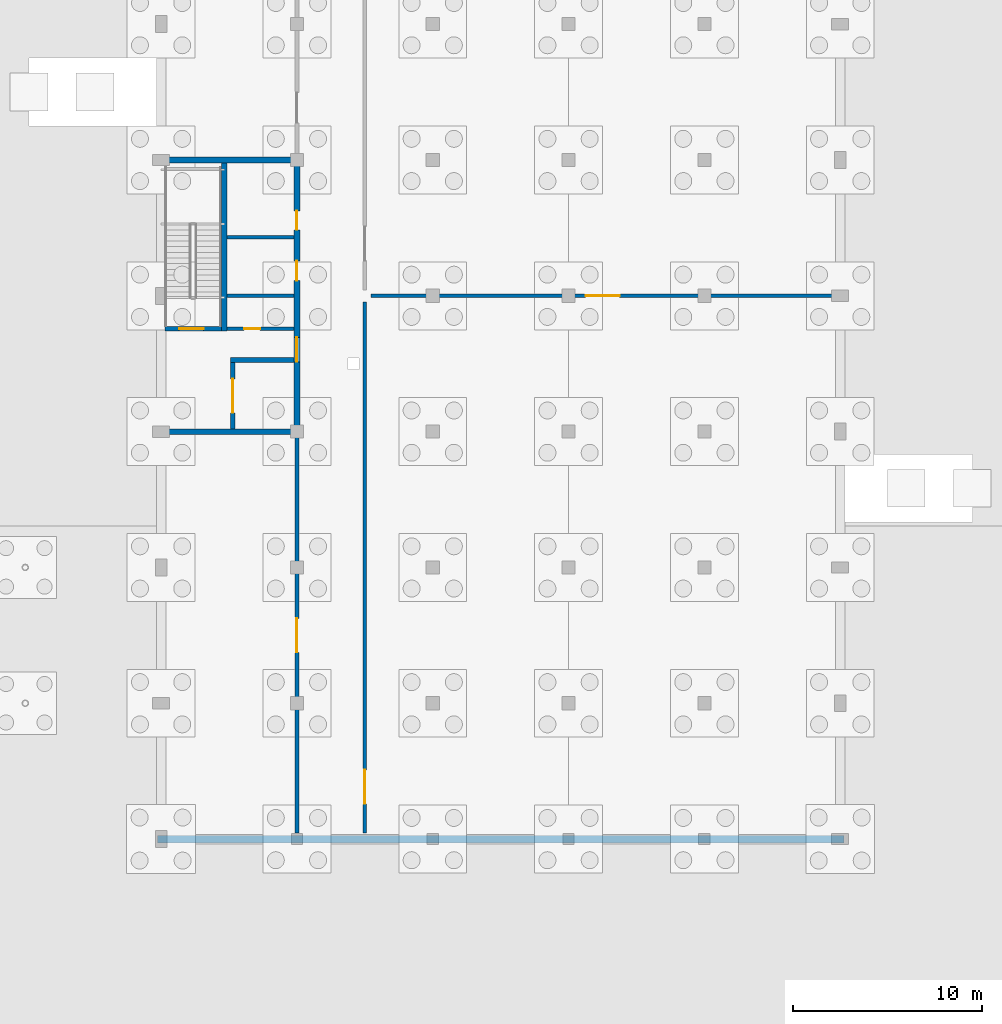
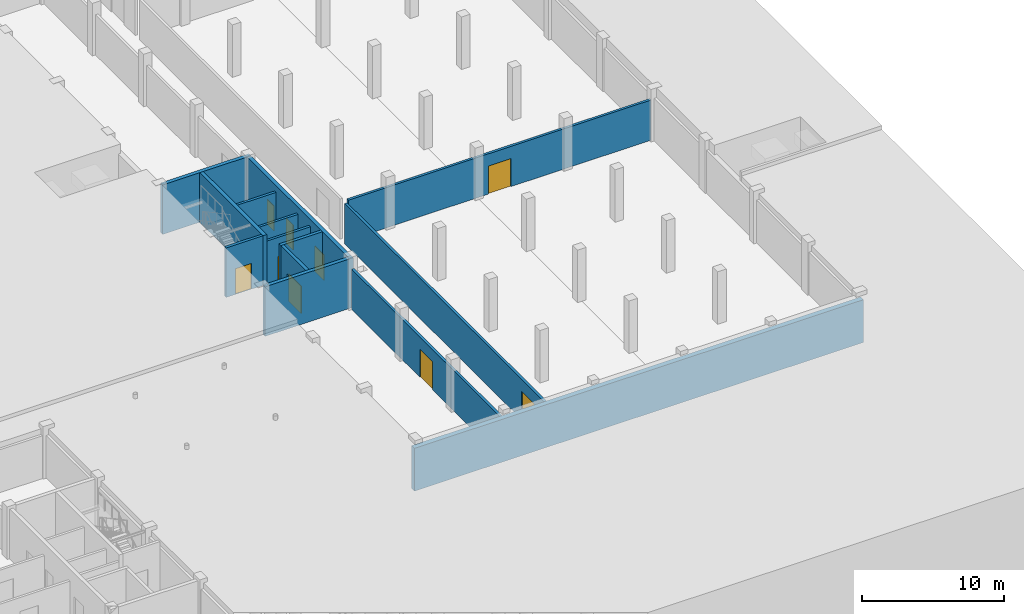
# One storey, part 32 of 51: 14 walls, 9 doors, 9 openings.
"""IFC4 building model written with IfcOpenShell, lengths in metres."""

from ifc_helpers import new_model, si_unit, direction, frame, frame_2d, origin, place, context, subcontext, project, spatial, rectangle, extrude, material, layer, layer_set, type_object, element, fill, save


model = new_model("IFC4")

# Units and contexts
model_context = context("Model", 3, precision=1e-05, world=origin(), true_north=direction((0.0, 1.0)))
body_context = subcontext(model_context, "Body", "Model", "MODEL_VIEW")
ifc_project = project(units=[si_unit("LENGTHUNIT", "METRE"), si_unit("AREAUNIT", "SQUARE_METRE"), si_unit("VOLUMEUNIT", "CUBIC_METRE"), si_unit("PLANEANGLEUNIT", "RADIAN"), si_unit("MASSUNIT", "GRAM", prefix="KILO")], contexts=[model_context])

# Site, building, storey
site_placement = place(None, origin())
site = spatial("IfcSite", under=ifc_project, at=site_placement, CompositionType="ELEMENT")
building_placement = place(site_placement, origin())
building = spatial("IfcBuilding", under=site, at=building_placement, Name="Zlatovets Crest Museum", CompositionType="ELEMENT")
storey_placement = place(building_placement, frame((0.0, 0.0, -4.5)))
storey = spatial("IfcBuildingStorey", under=building, at=storey_placement, Name="B1", CompositionType="ELEMENT", Elevation=-4.5)

# Walls
ifc_material_1 = material(Name="Concrete C35/45", Category="concrete")
ifc_layer_1 = layer(ifc_material_1, 0.300048828125)
ifc_layer_set_1 = layer_set([ifc_layer_1], Name="Concrete C35/45")
wall_type_1 = type_object("IfcWallType", Name="CoreWall_SW01", PredefinedType="SHEAR", material=ifc_layer_set_1)
for number, where, z_axis, x_axis, name in (
    (1, (129.800048828125, 36.0, 0.0), (0.0, 0.0, 1.0), (1.0, 0.0, 0.0), "Core C5 B1 South Shear Wall"),
    (2, (129.800048828125, 50.39990234375, 0.0), (0.0, 0.0, 1.0), (1.0, 0.0, 0.0), "Core C5 B1 North Shear Wall"),
):
    element("IfcWall", number, at=place(storey_placement, frame(where, z_axis=z_axis, x_axis=x_axis)), inside=storey, type_object=wall_type_1, Name=name, PredefinedType="SHEAR", context=body_context, shape_type="SweptSolid", body=[
        extrude(rectangle(XDim=7.14990234375, YDim=0.300048828125, at=frame_2d((3.574951171875, 0.0))), origin(), (0.0, 0.0, 1.0), 4.25),
    ])

# Wall, openings, doors
wall_1_placement = place(storey_placement, frame((136.800048828125, 36.14990234375, 0.0), z_axis=(0.0, 0.0, 1.0), x_axis=(0.0, 1.0, 0.0)))
wall_1 = element("IfcWall", 3, at=wall_1_placement, inside=storey, type_object=wall_type_1, Name="Core C5 B1 Spine Shear Wall", PredefinedType="SHEAR", context=body_context, shape_type="SweptSolid", body=[
    extrude(rectangle(XDim=14.10009765625, YDim=0.300048828125, at=frame_2d((7.050048828125, 0.0))), origin(), (0.0, 0.0, 1.0), 4.25),
])
opening_1_placement = place(wall_1_placement, frame((3.550048828125, 0.0, 0.0)))
opening_1 = element("IfcOpeningElement", 4, at=opening_1_placement, cuts=wall_1, Name="Opening FD-01", PredefinedType="OPENING", context=body_context, shape_type="SweptSolid", body=[
    extrude(rectangle(XDim=1.300048828125, YDim=2.199951171875, at=frame_2d((0.64990234375, 1.10009765625))), frame((0.0, 0.16015625, 0.0), z_axis=(0.0, -1.0, 0.0), x_axis=(1.0, 0.0, 0.0)), (0.0, 0.0, 1.0), 0.320068359375),
])
opening_2_placement = place(wall_1_placement, frame((7.85009765625, 0.0, 0.0)))
opening_2 = element("IfcOpeningElement", 5, at=opening_2_placement, cuts=wall_1, Name="Opening ID-02", PredefinedType="OPENING", context=body_context, shape_type="SweptSolid", body=[
    extrude(rectangle(XDim=1.050048828125, YDim=2.14990234375, at=frame_2d((0.52490234375, 1.074951171875))), frame((0.0, 0.16015625, 0.0), z_axis=(0.0, -1.0, 0.0), x_axis=(1.0, 0.0, 0.0)), (0.0, 0.0, 1.0), 0.320068359375),
])
opening_3_placement = place(wall_1_placement, frame((10.550048828125, 0.0, 0.0)))
opening_3 = element("IfcOpeningElement", 6, at=opening_3_placement, cuts=wall_1, Name="Opening ID-01", PredefinedType="OPENING", context=body_context, shape_type="SweptSolid", body=[
    extrude(rectangle(XDim=1.0, YDim=2.14990234375, at=frame_2d((0.5, 1.074951171875))), frame((0.0, 0.16015625, 0.0), z_axis=(0.0, -1.0, 0.0), x_axis=(1.0, 0.0, 0.0)), (0.0, 0.0, 1.0), 0.320068359375),
])
ifc_material_2 = material(Name="Smoke-sealed steel fire door", Category="steel")
door_type_1 = type_object("IfcDoorType", Name="IntDoor_FD-01", OperationType="NOTDEFINED", PredefinedType="DOOR", material=ifc_material_2)
door_1_placement = place(opening_1_placement, origin())
door_1 = element("IfcDoor", 7, at=door_1_placement, inside=storey, type_object=door_type_1, Name="CDOOR-C5-B1-LOB Core C5 B1 Lobby Fire Door", OperationType="SINGLE_SWING_LEFT", OverallHeight=2.199951171875, OverallWidth=1.300048828125, PredefinedType="DOOR", context=body_context, shape_type="SweptSolid", body=[
    extrude(rectangle(XDim=1.300048828125, YDim=2.199951171875, at=frame_2d((0.64990234375, 1.10009765625))), frame((0.0, 0.02490234375, 0.0), z_axis=(0.0, -1.0, 0.0), x_axis=(1.0, 0.0, 0.0)), (0.0, 0.0, 1.0), 0.050048828125),
])
fill(opening_1, door_1)
ifc_material_3 = material(Name="Solid oak museum room door")
door_type_2 = type_object("IfcDoorType", Name="IntDoor_ID-01", OperationType="NOTDEFINED", PredefinedType="DOOR", material=ifc_material_3)
door_2_placement = place(opening_3_placement, origin())
door_2 = element("IfcDoor", 8, at=door_2_placement, inside=storey, type_object=door_type_2, Name="CDOOR-C5-B1-WC Core C5 B1 Public Restroom Door", OperationType="SINGLE_SWING_RIGHT", OverallHeight=2.14990234375, OverallWidth=1.0, PredefinedType="DOOR", context=body_context, shape_type="SweptSolid", body=[
    extrude(rectangle(XDim=1.0, YDim=2.14990234375, at=frame_2d((0.5, 1.074951171875))), frame((0.0, 0.02490234375, 0.0), z_axis=(0.0, -1.0, 0.0), x_axis=(1.0, 0.0, 0.0)), (0.0, 0.0, 1.0), 0.050048828125),
])
fill(opening_3, door_2)
ifc_material_4 = material(Name="Accessible sanitary room door")
door_type_3 = type_object("IfcDoorType", Name="IntDoor_ID-02", OperationType="NOTDEFINED", PredefinedType="DOOR", material=ifc_material_4)
door_3_placement = place(opening_2_placement, origin())
door_3 = element("IfcDoor", 9, at=door_3_placement, inside=storey, type_object=door_type_3, Name="CDOOR-C5-B1-AWC Core C5 B1 Accessible WC Door", OperationType="SINGLE_SWING_LEFT", OverallHeight=2.14990234375, OverallWidth=1.050048828125, PredefinedType="DOOR", context=body_context, shape_type="SweptSolid", body=[
    extrude(rectangle(XDim=1.050048828125, YDim=2.14990234375, at=frame_2d((0.52490234375, 1.074951171875))), frame((0.0, 0.02490234375, 0.0), z_axis=(0.0, -1.0, 0.0), x_axis=(1.0, 0.0, 0.0)), (0.0, 0.0, 1.0), 0.050048828125),
])
fill(opening_2, door_3)

# Wall
wall_2_placement = place(storey_placement, frame((132.949951171875, 41.340087890625, 0.0), z_axis=(0.0, 0.0, 1.0), x_axis=(0.0, 1.0, 0.0)))
element("IfcWall", 10, at=wall_2_placement, inside=storey, type_object=wall_type_1, Name="Core C5 B1 Stair Divider Wall", PredefinedType="SHEAR", context=body_context, shape_type="SweptSolid", body=[
    extrude(rectangle(XDim=8.909912109375, YDim=0.300048828125, at=frame_2d((4.455078125, 0.0))), origin(), (0.0, 0.0, 1.0), 4.25),
])

# Wall, opening, door
ifc_layer_2 = layer(ifc_material_1, 0.25)
ifc_layer_set_2 = layer_set([ifc_layer_2], Name="Concrete C35/45")
wall_type_2 = type_object("IfcWallType", Name="CoreWall_SW02", PredefinedType="SHEAR", material=ifc_layer_set_2)
wall_3_placement = place(storey_placement, frame((133.39990234375, 36.14990234375, 0.0), z_axis=(0.0, 0.0, 1.0), x_axis=(0.0, 1.0, 0.0)))
wall_3 = element("IfcWall", 11, at=wall_3_placement, inside=storey, type_object=wall_type_2, Name="Core C5 B1 Lift Shaft Wall", PredefinedType="SHEAR", context=body_context, shape_type="SweptSolid", body=[
    extrude(rectangle(XDim=3.525146484375, YDim=0.25, at=frame_2d((1.7626953125, 0.0))), origin(), (0.0, 0.0, 1.0), 4.25),
])
opening_4_placement = place(wall_3_placement, frame((0.85009765625, 0.0, 0.0)))
opening_4 = element("IfcOpeningElement", 12, at=opening_4_placement, cuts=wall_3, Name="Opening LD-02", PredefinedType="OPENING", context=body_context, shape_type="SweptSolid", body=[
    extrude(rectangle(XDim=1.800048828125, YDim=2.35009765625, at=frame_2d((0.89990234375, 1.175048828125))), frame((0.0, 0.135009765625, 0.0), z_axis=(0.0, -1.0, 0.0), x_axis=(1.0, 0.0, 0.0)), (0.0, 0.0, 1.0), 0.27001953125),
])
ifc_material_5 = material(Name="Heavy sliding goods-lift landing door")
door_type_4 = type_object("IfcDoorType", Name="IntDoor_LD-02", OperationType="SLIDING_TO_LEFT", PredefinedType="DOOR", material=ifc_material_5)
door_4_placement = place(opening_4_placement, origin())
door_4 = element("IfcDoor", 13, at=door_4_placement, inside=storey, type_object=door_type_4, Name="LDOOR-GL1-B1 Lift GL1 B1 Sliding Landing Door", OperationType="SLIDING_TO_LEFT", OverallHeight=2.35009765625, OverallWidth=1.800048828125, PredefinedType="DOOR", context=body_context, shape_type="SweptSolid", body=[
    extrude(rectangle(XDim=1.800048828125, YDim=2.35009765625, at=frame_2d((0.89990234375, 1.175048828125))), frame((0.0, 0.02490234375, 0.0), z_axis=(0.0, -1.0, 0.0), x_axis=(1.0, 0.0, 0.0)), (0.0, 0.0, 1.0), 0.050048828125),
])
fill(opening_4, door_4)

wall_4_placement = place(storey_placement, frame((129.800048828125, 41.449951171875, 0.0), z_axis=(0.0, 0.0, 1.0), x_axis=(1.0, 0.0, 0.0)))
wall_4 = element("IfcWall", 14, at=wall_4_placement, inside=storey, type_object=wall_type_2, Name="Core C5 B1 Stairwell Fire Wall", PredefinedType="SHEAR", context=body_context, shape_type="SweptSolid", body=[
    extrude(rectangle(XDim=3.0, YDim=0.219970703125, at=frame_2d((1.5, 0.0))), origin(), (0.0, 0.0, 1.0), 4.25),
])
opening_5_placement = place(wall_4_placement, frame((0.75, 0.0, 0.0)))
opening_5 = element("IfcOpeningElement", 15, at=opening_5_placement, cuts=wall_4, Name="Opening FD-01", PredefinedType="OPENING", context=body_context, shape_type="SweptSolid", body=[
    extrude(rectangle(XDim=1.300048828125, YDim=2.199951171875, at=frame_2d((0.64990234375, 1.10009765625))), frame((0.0, 0.1201171875, 0.0), z_axis=(0.0, -1.0, 0.0), x_axis=(1.0, 0.0, 0.0)), (0.0, 0.0, 1.0), 0.239990234375),
])
door_5_placement = place(opening_5_placement, origin())
door_5 = element("IfcDoor", 16, at=door_5_placement, inside=storey, type_object=door_type_1, Name="SDOOR-ST5-B1 Stair ST5 B1 Fire Door", OperationType="SINGLE_SWING_LEFT", OverallHeight=2.199951171875, OverallWidth=1.300048828125, PredefinedType="DOOR", context=body_context, shape_type="SweptSolid", body=[
    extrude(rectangle(XDim=1.300048828125, YDim=2.199951171875, at=frame_2d((0.64990234375, 1.10009765625))), frame((0.0, 0.02490234375, 0.0), z_axis=(0.0, -1.0, 0.0), x_axis=(1.0, 0.0, 0.0)), (0.0, 0.0, 1.0), 0.050048828125),
])
fill(opening_5, door_5)

# Wall
wall_5_placement = place(storey_placement, frame((133.27490234375, 39.800048828125, 0.0), z_axis=(0.0, 0.0, 1.0), x_axis=(1.0, 0.0, 0.0)))
element("IfcWall", 17, at=wall_5_placement, inside=storey, type_object=wall_type_2, Name="Core C5 B1 Lift Shaft North Shear Wall", PredefinedType="SHEAR", context=body_context, shape_type="SweptSolid", body=[
    extrude(rectangle(XDim=3.375, YDim=0.25, at=frame_2d((1.6875, 0.0))), origin(), (0.0, 0.0, 1.0), 4.25),
])

# Wall, opening, door
ifc_material_6 = material(Name="Gypsum-encased fire compartment partition")
ifc_layer_3 = layer(ifc_material_6, 0.199951171875)
ifc_layer_set_3 = layer_set([ifc_layer_3], Name="Gypsum-encased fire compartment partition")
wall_type_3 = type_object("IfcWallType", Name="PartWall_PT-01", PredefinedType="PARTITIONING", material=ifc_layer_set_3)
wall_6_placement = place(storey_placement, frame((140.39990234375, 14.719970703125, 0.0), z_axis=(0.0, 0.0, 1.0), x_axis=(0.0, 1.0, 0.0)))
wall_6 = element("IfcWall", 18, at=wall_6_placement, inside=storey, type_object=wall_type_3, Name="V5 B1 Interior Partition PT-01", PredefinedType="PARTITIONING", context=body_context, shape_type="SweptSolid", body=[
    extrude(rectangle(XDim=28.159912109375, YDim=0.199951171875, at=frame_2d((14.080078125, 0.0))), origin(), (0.0, 0.0, 1.0), 3.449951171875),
])
opening_6_placement = place(wall_6_placement, frame((1.548583984375, 0.0, 0.0)))
opening_6 = element("IfcOpeningElement", 19, at=opening_6_placement, cuts=wall_6, Name="Opening FD-04", PredefinedType="OPENING", context=body_context, shape_type="SweptSolid", body=[
    extrude(rectangle(XDim=1.800048828125, YDim=2.39990234375, at=frame_2d((0.89990234375, 1.199951171875))), frame((0.0, 0.10986328125, 0.0), z_axis=(0.0, -1.0, 0.0), x_axis=(1.0, 0.0, 0.0)), (0.0, 0.0, 1.0), 0.219970703125),
])
ifc_material_7 = material(Name="Archive vault heavy fire door")
door_type_5 = type_object("IfcDoorType", Name="IntDoor_FD-04", OperationType="DOUBLE_DOOR_SINGLE_SWING", PredefinedType="DOOR", material=ifc_material_7)
door_6_placement = place(opening_6_placement, origin())
door_6 = element("IfcDoor", 20, at=door_6_placement, inside=storey, type_object=door_type_5, Name="IDOOR-V5-B1-0037 Archive Spine Corridor B1 to High-Density Compact Shelving Archive Vault Door", OperationType="DOUBLE_DOOR_SINGLE_SWING", OverallHeight=2.39990234375, OverallWidth=1.800048828125, PredefinedType="DOOR", context=body_context, shape_type="SweptSolid", body=[
    extrude(rectangle(XDim=1.800048828125, YDim=2.39990234375, at=frame_2d((0.89990234375, 1.199951171875))), frame((0.0, 0.02490234375, 0.0), z_axis=(0.0, -1.0, 0.0), x_axis=(1.0, 0.0, 0.0)), (0.0, 0.0, 1.0), 0.050048828125),
])
fill(opening_6, door_6)

wall_7_placement = place(storey_placement, frame((136.800048828125, 14.719970703125, 0.0), z_axis=(0.0, 0.0, 1.0), x_axis=(0.0, 1.0, 0.0)))
wall_7 = element("IfcWall", 21, at=wall_7_placement, inside=storey, type_object=wall_type_3, Name="V5 B1 Interior Partition PT-01", PredefinedType="PARTITIONING", context=body_context, shape_type="SweptSolid", body=[
    extrude(rectangle(XDim=20.9599609375, YDim=0.199951171875, at=frame_2d((10.47998046875, 0.0))), origin(), (0.0, 0.0, 1.0), 3.449951171875),
])
opening_7_placement = place(wall_7_placement, frame((9.580078125, 0.0, 0.0)))
opening_7 = element("IfcOpeningElement", 22, at=opening_7_placement, cuts=wall_7, Name="Opening FD-04", PredefinedType="OPENING", context=body_context, shape_type="SweptSolid", body=[
    extrude(rectangle(XDim=1.800048828125, YDim=2.39990234375, at=frame_2d((0.89990234375, 1.199951171875))), frame((0.0, 0.10986328125, 0.0), z_axis=(0.0, -1.0, 0.0), x_axis=(1.0, 0.0, 0.0)), (0.0, 0.0, 1.0), 0.219970703125),
])
door_7_placement = place(opening_7_placement, origin())
door_7 = element("IfcDoor", 23, at=door_7_placement, inside=storey, type_object=door_type_5, Name="IDOOR-V5-B1-0042 Archive Spine Corridor B1 to Archive Vault Airlock Door", OperationType="DOUBLE_DOOR_SINGLE_SWING", OverallHeight=2.39990234375, OverallWidth=1.800048828125, PredefinedType="DOOR", context=body_context, shape_type="SweptSolid", body=[
    extrude(rectangle(XDim=1.800048828125, YDim=2.39990234375, at=frame_2d((0.89990234375, 1.199951171875))), frame((0.0, 0.02490234375, 0.0), z_axis=(0.0, -1.0, 0.0), x_axis=(1.0, 0.0, 0.0)), (0.0, 0.0, 1.0), 0.050048828125),
])
fill(opening_7, door_7)

wall_8_placement = place(storey_placement, frame((140.719970703125, 43.199951171875, 0.0), z_axis=(0.0, 0.0, 1.0), x_axis=(1.0, 0.0, 0.0)))
wall_8 = element("IfcWall", 24, at=wall_8_placement, inside=storey, type_object=wall_type_3, Name="V5 B1 Interior Partition PT-01", PredefinedType="PARTITIONING", context=body_context, shape_type="SweptSolid", body=[
    extrude(rectangle(XDim=24.56005859375, YDim=0.199951171875, at=frame_2d((12.280029296875, 0.0))), origin(), (0.0, 0.0, 1.0), 3.449951171875),
])
opening_8_placement = place(wall_8_placement, frame((11.3798828125, 0.0, 0.0)))
opening_8 = element("IfcOpeningElement", 25, at=opening_8_placement, cuts=wall_8, Name="Opening FD-04", PredefinedType="OPENING", context=body_context, shape_type="SweptSolid", body=[
    extrude(rectangle(XDim=1.800048828125, YDim=2.39990234375, at=frame_2d((0.89990234375, 1.199951171875))), frame((0.0, 0.10986328125, 0.0), z_axis=(0.0, -1.0, 0.0), x_axis=(1.0, 0.0, 0.0)), (0.0, 0.0, 1.0), 0.219970703125),
])
door_8_placement = place(opening_8_placement, origin())
door_8 = element("IfcDoor", 26, at=door_8_placement, inside=storey, type_object=door_type_5, Name="IDOOR-V5-B1-0043 High-Density Compact Shelving Archive Vault to Painting and Rack Storage Archive Door", OperationType="DOUBLE_DOOR_SINGLE_SWING", OverallHeight=2.39990234375, OverallWidth=1.800048828125, PredefinedType="DOOR", context=body_context, shape_type="SweptSolid", body=[
    extrude(rectangle(XDim=1.800048828125, YDim=2.39990234375, at=frame_2d((0.89990234375, 1.199951171875))), frame((0.0, 0.02490234375, 0.0), z_axis=(0.0, -1.0, 0.0), x_axis=(1.0, 0.0, 0.0)), (0.0, 0.0, 1.0), 0.050048828125),
])
fill(opening_8, door_8)

ifc_material_8 = material(Name="Sanitary core acoustic service wall")
ifc_layer_4 = layer(ifc_material_8, 0.219970703125)
ifc_layer_set_4 = layer_set([ifc_layer_4], Name="Sanitary core acoustic service wall")
wall_type_4 = type_object("IfcWallType", Name="PartWall_PT-04", PredefinedType="PLUMBINGWALL", material=ifc_layer_set_4)
wall_9_placement = place(storey_placement, frame((133.10009765625, 41.449951171875, 0.0), z_axis=(0.0, 0.0, 1.0), x_axis=(1.0, 0.0, 0.0)))
wall_9 = element("IfcWall", 27, at=wall_9_placement, inside=storey, type_object=wall_type_4, Name="Core C5 B1 Riser Lobby Wall", PredefinedType="PLUMBINGWALL", context=body_context, shape_type="SweptSolid", body=[
    extrude(rectangle(XDim=3.5498046875, YDim=0.199951171875, at=frame_2d((1.77490234375, 0.0))), origin(), (0.0, 0.0, 1.0), 3.669921875),
])
opening_9_placement = place(wall_9_placement, frame((0.89990234375, 0.0, 0.0)))
opening_9 = element("IfcOpeningElement", 28, at=opening_9_placement, cuts=wall_9, Name="Opening FD-03", PredefinedType="OPENING", context=body_context, shape_type="SweptSolid", body=[
    extrude(rectangle(XDim=0.85009765625, YDim=2.050048828125, at=frame_2d((0.425048828125, 1.02490234375))), frame((0.0, 0.10986328125, 0.0), z_axis=(0.0, -1.0, 0.0), x_axis=(1.0, 0.0, 0.0)), (0.0, 0.0, 1.0), 0.219970703125),
])
ifc_material_9 = material(Name="Steel riser shaft access fire door", Category="steel")
door_type_6 = type_object("IfcDoorType", Name="IntDoor_FD-03", OperationType="NOTDEFINED", PredefinedType="TRAPDOOR", material=ifc_material_9)
door_9_placement = place(opening_9_placement, origin())
door_9 = element("IfcDoor", 29, at=door_9_placement, inside=storey, type_object=door_type_6, Name="CDOOR-C5-B1-RIS Core C5 B1 Riser Access Door", OperationType="SINGLE_SWING_RIGHT", OverallHeight=2.050048828125, OverallWidth=0.85009765625, PredefinedType="TRAPDOOR", context=body_context, shape_type="SweptSolid", body=[
    extrude(rectangle(XDim=0.85009765625, YDim=2.050048828125, at=frame_2d((0.425048828125, 1.02490234375))), frame((0.0, 0.02490234375, 0.0), z_axis=(0.0, -1.0, 0.0), x_axis=(1.0, 0.0, 0.0)), (0.0, 0.0, 1.0), 0.050048828125),
])
fill(opening_9, door_9)

# Walls
for number, where, z_axis, x_axis, name in (
    (30, (133.10009765625, 43.199951171875, 0.0), (0.0, 0.0, 1.0), (1.0, 0.0, 0.0), "Core C5 B1 Sanitary Divider"),
    (31, (133.10009765625, 46.300048828125, 0.0), (0.0, 0.0, 1.0), (1.0, 0.0, 0.0), "Core C5 B1 Sanitary Divider"),
):
    element("IfcWall", number, at=place(storey_placement, frame(where, z_axis=z_axis, x_axis=x_axis)), inside=storey, type_object=wall_type_4, Name=name, PredefinedType="PLUMBINGWALL", context=body_context, shape_type="SweptSolid", body=[
        extrude(rectangle(XDim=3.5498046875, YDim=0.199951171875, at=frame_2d((1.77490234375, 0.0))), origin(), (0.0, 0.0, 1.0), 3.669921875),
    ])
ifc_layer_5 = layer(ifc_material_1, 0.39990234375)
ifc_layer_set_5 = layer_set([ifc_layer_5], Name="Concrete C35/45")
wall_type_5 = type_object("IfcWallType", Name="RetainingWall_RW01", PredefinedType="USERDEFINED", material=ifc_layer_set_5)
wall_10_placement = place(storey_placement, frame((129.39990234375, 14.39990234375, 0.0), z_axis=(0.0, 0.0, 1.0), x_axis=(1.0, 0.0, 0.0)))
element("IfcWall", 32, at=wall_10_placement, inside=storey, type_object=wall_type_5, Name="V5 B1 Retaining Wall S", ObjectType="RETAINING WALL", PredefinedType="USERDEFINED", context=body_context, shape_type="SweptSolid", body=[
    extrude(rectangle(XDim=36.400146484375, YDim=0.39990234375, at=frame_2d((18.2001953125, 0.0))), origin(), (0.0, 0.0, 1.0), 3.669921875),
])

save(model, "model.ifc")
